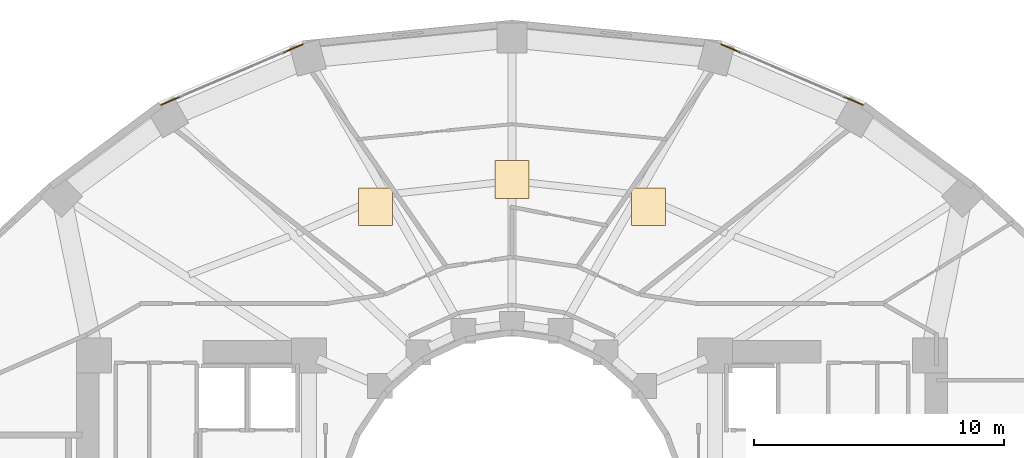
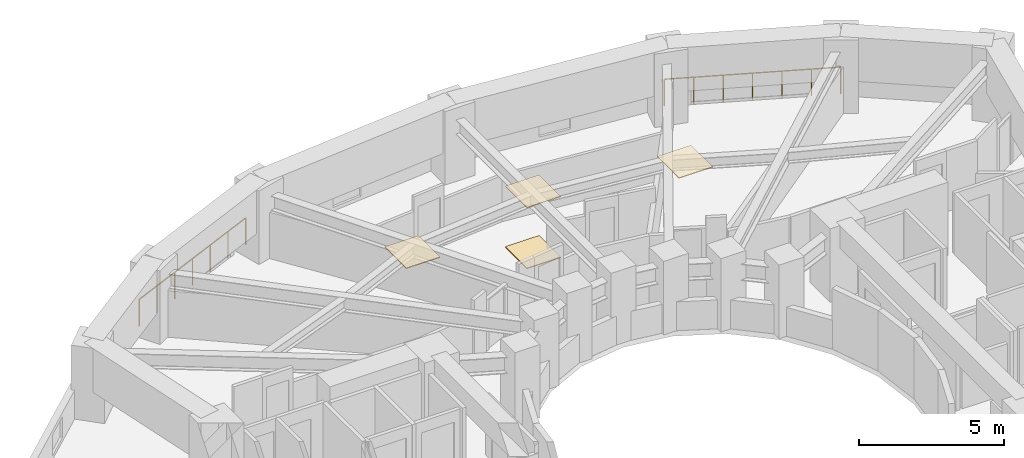
# One storey, part 16 of 16: 4 coverings, 2 railings.
"""IFC4 building model written with IfcOpenShell, lengths in metres."""

from ifc_helpers import new_model, si_unit, direction, frame, origin, origin_2d, place, context, subcontext, project, spatial, polyline, circle, outline, extrude, material, layer, layer_set, type_object, element, save


model = new_model("IFC4")

# Units and contexts
model_context = context("Model", 3, precision=1e-05, world=origin(), true_north=direction((0.0, 1.0)))
body_context = subcontext(model_context, "Body", "Model", "MODEL_VIEW")
ifc_project = project(units=[si_unit("LENGTHUNIT", "METRE"), si_unit("AREAUNIT", "SQUARE_METRE"), si_unit("VOLUMEUNIT", "CUBIC_METRE"), si_unit("PLANEANGLEUNIT", "RADIAN"), si_unit("MASSUNIT", "GRAM", prefix="KILO")], contexts=[model_context])

# Site, building, storey
site_placement = place(None, origin())
site = spatial("IfcSite", under=ifc_project, at=site_placement, CompositionType="ELEMENT")
building_placement = place(site_placement, origin())
building = spatial("IfcBuilding", under=site, at=building_placement, Name="Solvane Sanctuary Tower", CompositionType="ELEMENT")
storey_placement = place(building_placement, frame((0.0, 0.0, 33.800048828125)))
storey = spatial("IfcBuildingStorey", under=building, at=storey_placement, Name="L09", CompositionType="ELEMENT", Elevation=33.800048828125)

# Coverings
ifc_material_1 = material(Name="Acoustic Gypsum Partition Board")
ifc_layer_1 = layer(ifc_material_1, 0.02490234375, Name="Acoustic Gypsum Partition Board")
ifc_layer_set_1 = layer_set([ifc_layer_1], Name="Acoustic Gypsum Partition Board")
covering_type_1 = type_object("IfcCoveringType", Name="Covering CLG-ACOUST", PredefinedType="CEILING", material=ifc_layer_set_1)
covering_1_placement = place(storey_placement, frame((0.0, 0.0, 2.570068359375)))
element("IfcCovering", 1, at=covering_1_placement, inside=storey, type_object=covering_type_1, Name="L09 Unit Acoustic Ceiling Panel 1", PredefinedType="CEILING", context=body_context, shape_type="SweptSolid", body=[
    extrude(outline(polyline([(36.77099609375, 35.39697265625), (38.12109375, 35.39697265625), (38.12109375, 36.89697265625), (36.77099609375, 36.89697265625), (36.77099609375, 35.39697265625)])), origin(), (0.0, 0.0, 1.0), 0.02978515625),
])
covering_2_placement = place(storey_placement, frame((0.0, 0.0, 2.570068359375)))
element("IfcCovering", 2, at=covering_2_placement, inside=storey, type_object=covering_type_1, Name="L09 Unit Acoustic Ceiling Panel 2", PredefinedType="CEILING", context=body_context, shape_type="SweptSolid", body=[
    extrude(outline(polyline([(31.324951171875, 36.47998046875), (32.675048828125, 36.47998046875), (32.675048828125, 37.97998046875), (31.324951171875, 37.97998046875), (31.324951171875, 36.47998046875)])), origin(), (0.0, 0.0, 1.0), 0.02978515625),
])
covering_3_placement = place(storey_placement, frame((0.0, 0.0, 2.570068359375)))
element("IfcCovering", 3, at=covering_3_placement, inside=storey, type_object=covering_type_1, Name="L09 Unit Acoustic Ceiling Panel 3", PredefinedType="CEILING", context=body_context, shape_type="SweptSolid", body=[
    extrude(outline(polyline([(25.87890625, 35.39697265625), (27.22900390625, 35.39697265625), (27.22900390625, 36.89697265625), (25.87890625, 36.89697265625), (25.87890625, 35.39697265625)])), origin(), (0.0, 0.0, 1.0), 0.02978515625),
])
ifc_material_2 = material(Name="Ceramic Tile Finish")
ifc_layer_2 = layer(ifc_material_2, 0.030029296875, Name="Ceramic Tile Finish")
ifc_layer_set_2 = layer_set([ifc_layer_2], Name="Ceramic Tile Finish")
covering_type_2 = type_object("IfcCoveringType", Name="Covering FLR-TERRAZZO", PredefinedType="FLOORING", material=ifc_layer_set_2)
covering_4_placement = place(storey_placement, origin())
element("IfcCovering", 4, at=covering_4_placement, inside=storey, type_object=covering_type_2, Name="L09 Unit Terrazzo Inlay 2", PredefinedType="FLOORING", context=body_context, shape_type="SweptSolid", body=[
    extrude(outline(polyline([(31.324951171875, 36.47998046875), (32.675048828125, 36.47998046875), (32.675048828125, 37.97998046875), (31.324951171875, 37.97998046875), (31.324951171875, 36.47998046875)])), origin(), (0.0, 0.0, 1.0), 0.034912109375),
])

# Railings
ifc_material_3 = material(Name="Architectural Stainless Steel 316", Category="steel")
railing_type = type_object("IfcRailingType", Name="Railing GR-BALC-1150", PredefinedType="BALUSTRADE", material=ifc_material_3)
railing_1_placement = place(storey_placement, frame((46.014404296875, 40.208740234375, 0.0)))
element("IfcRailing", 5, at=railing_1_placement, inside=storey, type_object=railing_type, Name="L09 Curtain-Wall Perimeter Sill Guard 04", PredefinedType="BALUSTRADE", context=body_context, shape_type="SweptSolid", body=[
    extrude(circle(Radius=0.02392578125, at=origin_2d()), frame((0.0, 0.0, 1.1259765625), z_axis=(-0.919604392421, 0.392845722186, 0.0), x_axis=(-0.392845722186, -0.919604392421, 0.0)), (0.0, 0.0, 1.0), 6.1494140625),
    extrude(circle(Radius=0.02099609375, at=origin_2d()), origin(), (0.0, 0.0, 1.0), 1.101806640625),
    extrude(circle(Radius=0.02099609375, at=origin_2d()), frame((-0.9423828125, 0.402587890625, 0.0)), (0.0, 0.0, 1.0), 1.101806640625),
    extrude(circle(Radius=0.02099609375, at=origin_2d()), frame((-1.885009765625, 0.80517578125, 0.0)), (0.0, 0.0, 1.0), 1.101806640625),
    extrude(circle(Radius=0.02099609375, at=origin_2d()), frame((-2.82763671875, 1.2080078125, 0.0)), (0.0, 0.0, 1.0), 1.101806640625),
    extrude(circle(Radius=0.02099609375, at=origin_2d()), frame((-3.77001953125, 1.610595703125, 0.0)), (0.0, 0.0, 1.0), 1.101806640625),
    extrude(circle(Radius=0.02099609375, at=origin_2d()), frame((-4.71240234375, 2.01318359375, 0.0)), (0.0, 0.0, 1.0), 1.101806640625),
    extrude(circle(Radius=0.02099609375, at=origin_2d()), frame((-5.655029296875, 2.415771484375, 0.0)), (0.0, 0.0, 1.0), 1.101806640625),
])
railing_2_placement = place(storey_placement, frame((23.640625, 42.62451171875, 0.0)))
element("IfcRailing", 6, at=railing_2_placement, inside=storey, type_object=railing_type, Name="L09 Curtain-Wall Perimeter Sill Guard 07", PredefinedType="BALUSTRADE", context=body_context, shape_type="SweptSolid", body=[
    extrude(circle(Radius=0.02392578125, at=origin_2d()), frame((0.0, 0.0, 1.1259765625), z_axis=(-0.919604392421, -0.392845722186, 0.0), x_axis=(0.392845722186, -0.919604392421, 0.0)), (0.0, 0.0, 1.0), 6.1494140625),
    extrude(circle(Radius=0.02099609375, at=origin_2d()), origin(), (0.0, 0.0, 1.0), 1.101806640625),
    extrude(circle(Radius=0.02099609375, at=origin_2d()), frame((-0.9423828125, -0.402587890625, 0.0)), (0.0, 0.0, 1.0), 1.101806640625),
    extrude(circle(Radius=0.02099609375, at=origin_2d()), frame((-1.885009765625, -0.80517578125, 0.0)), (0.0, 0.0, 1.0), 1.101806640625),
    extrude(circle(Radius=0.02099609375, at=origin_2d()), frame((-2.82763671875, -1.2080078125, 0.0)), (0.0, 0.0, 1.0), 1.101806640625),
    extrude(circle(Radius=0.02099609375, at=origin_2d()), frame((-3.77001953125, -1.610595703125, 0.0)), (0.0, 0.0, 1.0), 1.101806640625),
    extrude(circle(Radius=0.02099609375, at=origin_2d()), frame((-4.71240234375, -2.01318359375, 0.0)), (0.0, 0.0, 1.0), 1.101806640625),
    extrude(circle(Radius=0.02099609375, at=origin_2d()), frame((-5.655029296875, -2.415771484375, 0.0)), (0.0, 0.0, 1.0), 1.101806640625),
])

save(model, "model.ifc")
